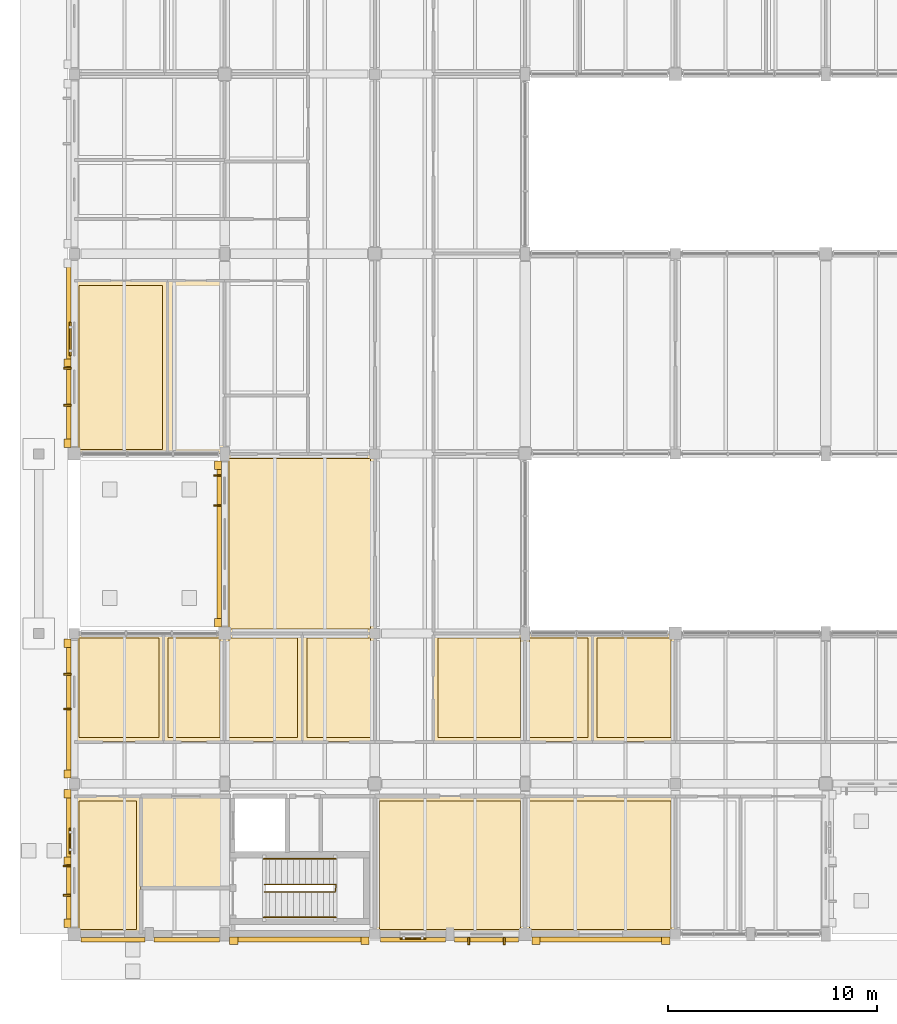
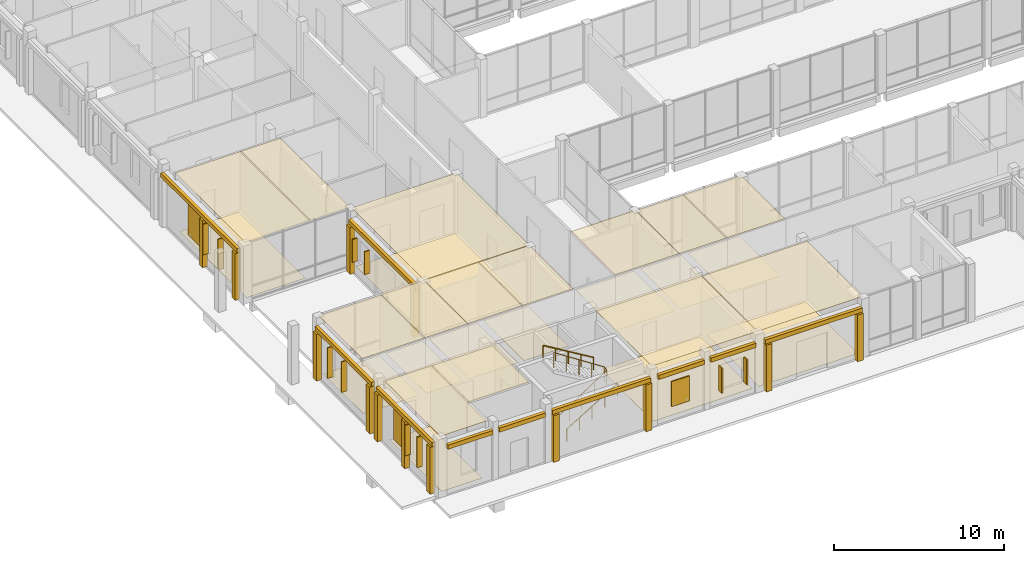
# One storey, part 91 of 104: 49 coverings, 13 shading devices, 3 railings.
"""IFC4 building model written with IfcOpenShell, lengths in metres."""

import ifcopenshell
import ifcopenshell.guid

model = None  # the IFC model being written
_history = None  # IfcOwnerHistory: only IFC2X3 demands one
_inside = {}  # id of a spatial element -> (the spatial element, [elements in it])
_under = {}  # id of a project, library or spatial element -> (it, [spatial elements below it])
_declared = {}  # id of a project -> (the project, [libraries it declares])
_typed = {}  # id of a type object -> (the type object, [elements of that type])
_made_of = {}  # id of a material, layer set ... -> (it, [elements and type objects made of it])


def new_model(schema):
    """Start an empty IFC model of exactly this schema.

    Asked for "IFC4X3", IfcOpenShell would pick the latest addendum, in which some entities
    have other attributes; the version numbers below select the first issue.
    IFC2X3 requires an IfcOwnerHistory on every rooted entity: one is made here for all.
    """
    global model, _history
    if schema == "IFC4X3":
        model = ifcopenshell.file(schema_version=(4, 3, 0, 0))
    else:
        model = ifcopenshell.file(schema=schema)
    _inside.clear()
    _under.clear()
    _declared.clear()
    _typed.clear()
    _made_of.clear()
    _history = None
    if model.schema == "IFC2X3":
        org = make("IfcOrganization", Name="unknown")
        user = make(
            "IfcPersonAndOrganization",
            ThePerson=make("IfcPerson", FamilyName="unknown"),
            TheOrganization=org,
        )
        app = make(
            "IfcApplication",
            ApplicationDeveloper=org,
            Version="unknown",
            ApplicationFullName="unknown",
            ApplicationIdentifier="unknown",
        )
        _history = make(
            "IfcOwnerHistory",
            OwningUser=user,
            OwningApplication=app,
            ChangeAction="ADDED",
            CreationDate=0,
        )
    return model


def make(cls, **values):
    """One entity of the class cls with the attributes given. An attribute that is None is left unset."""
    return model.create_entity(
        cls, **{name: value for name, value in values.items() if value is not None}
    )


def rooted(cls, **values):
    """An entity with a GlobalId (a new one), such as an element, a storey or a relation."""
    return make(cls, GlobalId=ifcopenshell.guid.new(), OwnerHistory=_history, **values)


def si_unit(unit_type, name, prefix=None):
    """IfcSIUnit, for example si_unit("LENGTHUNIT", "METRE", prefix="MILLI")."""
    return make("IfcSIUnit", UnitType=unit_type, Prefix=prefix, Name=name)


def assignment(units):
    """IfcUnitAssignment: the units of a project."""
    return None if units is None else make("IfcUnitAssignment", Units=units)


def point(xyz):
    """IfcCartesianPoint."""
    return None if xyz is None else make("IfcCartesianPoint", Coordinates=xyz)


def direction(xyz):
    """IfcDirection."""
    return None if xyz is None else make("IfcDirection", DirectionRatios=xyz)


def frame(location, z_axis=None, x_axis=None):
    """IfcAxis2Placement3D, a coordinate frame: its origin and axes. An axis left out is left unset."""
    return make(
        "IfcAxis2Placement3D",
        Location=point(location),
        Axis=direction(z_axis),
        RefDirection=direction(x_axis),
    )


def frame_2d(location, x_axis=None):
    """IfcAxis2Placement2D, a coordinate frame in the plane: its origin and x axis."""
    return make(
        "IfcAxis2Placement2D", Location=point(location), RefDirection=direction(x_axis)
    )


def origin():
    """The frame at (0, 0, 0) with its axes left unset."""
    return frame((0.0, 0.0, 0.0))


def origin_2d():
    """The frame at (0, 0) in the plane with its x axis left unset."""
    return frame_2d((0.0, 0.0))


def place(relative_to, where):
    """IfcLocalPlacement: puts the frame where relative to a parent placement (None: the world)."""
    return make(
        "IfcLocalPlacement", PlacementRelTo=relative_to, RelativePlacement=where
    )


def context(
    kind, dimensions, precision=None, world=None, true_north=None, identifier=None
):
    """IfcGeometricRepresentationContext, for example the 3D "Model" context."""
    return make(
        "IfcGeometricRepresentationContext",
        ContextIdentifier=identifier,
        ContextType=kind,
        CoordinateSpaceDimension=dimensions,
        Precision=precision,
        WorldCoordinateSystem=world,
        TrueNorth=true_north,
    )


def subcontext(parent, identifier, kind, view, scale=None):
    """IfcGeometricRepresentationSubContext, for example "Body" below "Model"."""
    return make(
        "IfcGeometricRepresentationSubContext",
        ContextIdentifier=identifier,
        ContextType=kind,
        ParentContext=parent,
        TargetScale=scale,
        TargetView=view,
    )


def project(units=None, contexts=None):
    """IfcProject with its units and contexts."""
    return rooted(
        "IfcProject",
        Name="project",
        RepresentationContexts=contexts,
        UnitsInContext=assignment(units),
    )


def spatial(cls, under=None, at=None, **own):
    """A site, building, storey or space (cls), placed at a placement, below another one or the project."""
    s = rooted(cls, ObjectPlacement=at, **own)
    if under is not None:
        _under.setdefault(under.id(), (under, []))[1].append(s)
    return s


def polyline(points):
    """IfcPolyline through the points."""
    return make("IfcPolyline", Points=[point(p) for p in points])


def profile(cls, at=None, kind="AREA", **sizes):
    """A parametric profile (cls). Its sizes go by their IFC names, for example OverallWidth=200.0."""
    return make(cls, ProfileType=kind, Position=at, **sizes)


def rectangle(**sizes):
    """IfcRectangleProfileDef."""
    return profile("IfcRectangleProfileDef", **sizes)


def circle(**sizes):
    """IfcCircleProfileDef."""
    return profile("IfcCircleProfileDef", **sizes)


def outline(outer, holes=None, kind="AREA"):
    """IfcArbitraryClosedProfileDef: a profile drawn as a closed curve; with holes, ...WithVoids."""
    if holes is None:
        return make("IfcArbitraryClosedProfileDef", ProfileType=kind, OuterCurve=outer)
    return make(
        "IfcArbitraryProfileDefWithVoids",
        ProfileType=kind,
        OuterCurve=outer,
        InnerCurves=holes,
    )


def extrude(swept, where, along, depth):
    """IfcExtrudedAreaSolid: the profile swept, set in the frame where, extruded along a direction by depth."""
    return make(
        "IfcExtrudedAreaSolid",
        SweptArea=swept,
        Position=where,
        ExtrudedDirection=direction(along),
        Depth=depth,
    )


def shape(context_of_items, identifier, shape_type, items):
    """IfcShapeRepresentation: the items that make up one representation, for example the "Body"."""
    return make(
        "IfcShapeRepresentation",
        ContextOfItems=context_of_items,
        RepresentationIdentifier=identifier,
        RepresentationType=shape_type,
        Items=items,
    )


def material(Name=None, Category=None):
    """IfcMaterial."""
    return make("IfcMaterial", Name=Name, Category=Category)


def layer(
    of_material, thickness, ventilated=None, Name=None, Category=None, Priority=None
):
    """IfcMaterialLayer: one layer of a wall or slab, of a material (None: an air gap)."""
    return make(
        "IfcMaterialLayer",
        Material=of_material,
        LayerThickness=thickness,
        IsVentilated=ventilated,
        Name=Name,
        Category=Category,
        Priority=Priority,
    )


def layer_set(layers, Name=None):
    """IfcMaterialLayerSet."""
    return make("IfcMaterialLayerSet", MaterialLayers=layers, LayerSetName=Name)


def made_of(thing, what):
    """Note that an element or type object is made of a material, layer set ...; save() writes the relation."""
    if what is not None:
        _made_of.setdefault(what.id(), (what, []))[1].append(thing)
    return thing


def type_object(cls, material=None, **own):
    """A type object (cls), such as IfcWallType, which elements share."""
    return made_of(rooted(cls, **own), material)


def element(
    cls,
    number,
    at=None,
    inside=None,
    cuts=None,
    type_object=None,
    material=None,
    context=None,
    identifier="Body",
    shape_type=None,
    held_by="IfcProductDefinitionShape",
    body=None,
    shapes=None,
    **own,
):
    """One element of the class cls, such as IfcWall. Its Tag is "e" and its number.

    at: its placement. inside: the storey or other place that contains it. cuts: it is an
    opening in that element (IfcRelVoidsElement). A single representation is given by context,
    identifier, shape_type and body (its items); several are given by shapes. held_by: the class
    of the entity that holds the representations. save() writes the other relations.
    """
    e = rooted(cls, Tag="e%d" % number, ObjectPlacement=at, **own)
    if body is not None:
        shapes = [shape(context, identifier, shape_type, body)]
    if shapes is not None:
        e.Representation = make(held_by, Representations=shapes)
    if inside is not None:
        _inside.setdefault(inside.id(), (inside, []))[1].append(e)
    if cuts is not None:
        rooted(
            "IfcRelVoidsElement", RelatingBuildingElement=cuts, RelatedOpeningElement=e
        )
    if type_object is not None:
        _typed.setdefault(type_object.id(), (type_object, []))[1].append(e)
    return made_of(e, material)


def aggregate(whole, parts):
    """IfcRelAggregates: a whole, such as a stair, and the parts it consists of."""
    return rooted("IfcRelAggregates", RelatingObject=whole, RelatedObjects=parts)


def save(model, path):
    """Write the relations noted so far, then the file.

    IfcRelAggregates (storeys below a building ...), IfcRelContainedInSpatialStructure (elements
    in a storey), IfcRelDefinesByType, IfcRelAssociatesMaterial and IfcRelDeclares: one each for
    every whole, place, type object, material and project.
    """
    for whole, parts in _under.values():
        aggregate(whole, parts)
    for where, things in _inside.values():
        rooted(
            "IfcRelContainedInSpatialStructure",
            RelatedElements=things,
            RelatingStructure=where,
        )
    for kind, things in _typed.values():
        rooted("IfcRelDefinesByType", RelatedObjects=things, RelatingType=kind)
    for what, things in _made_of.values():
        rooted("IfcRelAssociatesMaterial", RelatedObjects=things, RelatingMaterial=what)
    for by, libraries in _declared.values():
        rooted("IfcRelDeclares", RelatingContext=by, RelatedDefinitions=libraries)
    model.write(path)


model = new_model("IFC4")

# Units and contexts
model_context = context("Model", 3, precision=1e-05, world=origin(), true_north=direction((0.0, 1.0)))
body_context = subcontext(model_context, "Body", "Model", "MODEL_VIEW")
ifc_project = project(units=[si_unit("LENGTHUNIT", "METRE"), si_unit("AREAUNIT", "SQUARE_METRE"), si_unit("VOLUMEUNIT", "CUBIC_METRE"), si_unit("PLANEANGLEUNIT", "RADIAN"), si_unit("MASSUNIT", "GRAM", prefix="KILO")], contexts=[model_context])

# Site, building, storey
site_placement = place(None, origin())
site = spatial("IfcSite", under=ifc_project, at=site_placement, CompositionType="ELEMENT")
building_placement = place(site_placement, origin())
building = spatial("IfcBuilding", under=site, at=building_placement, Name="Hawrajan Terrace Health Centre", CompositionType="ELEMENT")
storey_placement = place(building_placement, origin())
storey = spatial("IfcBuildingStorey", under=building, at=storey_placement, Name="L00", CompositionType="ELEMENT", Elevation=0.0)

# Coverings
ifc_material_1 = material(Name="Precast concrete C40/50", Category="concrete")
ifc_layer_1 = layer(ifc_material_1, 0.219970703125)
ifc_layer_set_1 = layer_set([ifc_layer_1], Name="Precast concrete C40/50")
covering_type_1 = type_object("IfcCoveringType", Name="ArtDecoCorniceBand", PredefinedType="CLADDING", material=ifc_layer_set_1)
covering_1_placement = place(storey_placement, frame((6.449951171875, 3.929931640625, 3.3701171875), z_axis=(0.0, 0.0, 1.0), x_axis=(1.0, 0.0, 0.0)))
element("IfcCovering", 1, at=covering_1_placement, inside=storey, type_object=covering_type_1, Name="Art Deco limestone cornice band CRN-L00-0001", PredefinedType="CLADDING", context=body_context, shape_type="SweptSolid", body=[
    extrude(rectangle(XDim=3.06005859375, YDim=0.219970703125, at=origin_2d()), origin(), (0.0, 0.0, 1.0), 0.300048828125),
])
covering_2_placement = place(storey_placement, frame((9.987548828125, 3.929931640625, 3.3701171875), z_axis=(0.0, 0.0, 1.0), x_axis=(1.0, 0.0, 0.0)))
element("IfcCovering", 2, at=covering_2_placement, inside=storey, type_object=covering_type_1, Name="Art Deco limestone cornice band CRN-L00-0002", PredefinedType="CLADDING", context=body_context, shape_type="SweptSolid", body=[
    extrude(rectangle(XDim=3.135009765625, YDim=0.219970703125, at=origin_2d()), origin(), (0.0, 0.0, 1.0), 0.300048828125),
])
covering_3_placement = place(storey_placement, frame((4.330078125, 7.824951171875, 3.3701171875), z_axis=(0.0, 0.0, 1.0), x_axis=(0.0, 1.0, 0.0)))
element("IfcCovering", 3, at=covering_3_placement, inside=storey, type_object=covering_type_1, Name="Art Deco limestone cornice band CRN-L00-0003", PredefinedType="CLADDING", context=body_context, shape_type="SweptSolid", body=[
    extrude(rectangle(XDim=6.610107421875, YDim=0.219970703125, at=origin_2d()), origin(), (0.0, 0.0, 1.0), 0.300048828125),
])
covering_4_placement = place(storey_placement, frame((4.340087890625, 15.0, 3.3701171875), z_axis=(0.0, 0.0, 1.0), x_axis=(0.0, 1.0, 0.0)))
element("IfcCovering", 4, at=covering_4_placement, inside=storey, type_object=covering_type_1, Name="Art Deco limestone cornice band CRN-L00-0004", PredefinedType="CLADDING", context=body_context, shape_type="SweptSolid", body=[
    extrude(rectangle(XDim=6.659912109375, YDim=0.219970703125, at=origin_2d()), origin(), (0.0, 0.0, 1.0), 0.300048828125),
])
covering_5_placement = place(storey_placement, frame((4.340087890625, 32.02490234375, 3.3701171875), z_axis=(0.0, 0.0, 1.0), x_axis=(0.0, 1.0, 0.0)))
element("IfcCovering", 5, at=covering_5_placement, inside=storey, type_object=covering_type_1, Name="Art Deco limestone cornice band CRN-L00-0005", PredefinedType="CLADDING", context=body_context, shape_type="SweptSolid", body=[
    extrude(rectangle(XDim=9.010009765625, YDim=0.219970703125, at=origin_2d()), origin(), (0.0, 0.0, 1.0), 0.300048828125),
])
covering_6_placement = place(storey_placement, frame((15.387451171875, 3.93994140625, 3.3701171875), z_axis=(0.0, 0.0, 1.0), x_axis=(1.0, 0.0, 0.0)))
element("IfcCovering", 6, at=covering_6_placement, inside=storey, type_object=covering_type_1, Name="Art Deco limestone cornice band CRN-L00-0011", PredefinedType="CLADDING", context=body_context, shape_type="SweptSolid", body=[
    extrude(rectangle(XDim=6.68505859375, YDim=0.219970703125, at=origin_2d()), origin(), (0.0, 0.0, 1.0), 0.300048828125),
])
covering_7_placement = place(storey_placement, frame((11.5400390625, 22.887451171875, 3.3701171875), z_axis=(0.0, 0.0, 1.0), x_axis=(0.0, 1.0, 0.0)))
element("IfcCovering", 7, at=covering_7_placement, inside=storey, type_object=covering_type_1, Name="Art Deco limestone cornice band CRN-L00-0012", PredefinedType="CLADDING", context=body_context, shape_type="SweptSolid", body=[
    extrude(rectangle(XDim=7.93505859375, YDim=0.219970703125, at=origin_2d()), origin(), (0.0, 0.0, 1.0), 0.300048828125),
])
covering_8_placement = place(storey_placement, frame((20.824951171875, 3.929931640625, 3.3701171875), z_axis=(0.0, 0.0, 1.0), x_axis=(1.0, 0.0, 0.0)))
element("IfcCovering", 8, at=covering_8_placement, inside=storey, type_object=covering_type_1, Name="Art Deco limestone cornice band CRN-L00-0014", PredefinedType="CLADDING", context=body_context, shape_type="SweptSolid", body=[
    extrude(rectangle(XDim=3.110107421875, YDim=0.219970703125, at=origin_2d()), origin(), (0.0, 0.0, 1.0), 0.300048828125),
])
covering_9_placement = place(storey_placement, frame((24.35009765625, 3.929931640625, 3.3701171875), z_axis=(0.0, 0.0, 1.0), x_axis=(1.0, 0.0, 0.0)))
element("IfcCovering", 9, at=covering_9_placement, inside=storey, type_object=covering_type_1, Name="Art Deco limestone cornice band CRN-L00-0015", PredefinedType="CLADDING", context=body_context, shape_type="SweptSolid", body=[
    extrude(rectangle(XDim=3.06005859375, YDim=0.219970703125, at=origin_2d()), origin(), (0.0, 0.0, 1.0), 0.300048828125),
])
covering_10_placement = place(storey_placement, frame((29.824951171875, 3.93994140625, 3.3701171875), z_axis=(0.0, 0.0, 1.0), x_axis=(1.0, 0.0, 0.0)))
element("IfcCovering", 10, at=covering_10_placement, inside=storey, type_object=covering_type_1, Name="Art Deco limestone cornice band CRN-L00-0018", PredefinedType="CLADDING", context=body_context, shape_type="SweptSolid", body=[
    extrude(rectangle(XDim=6.610107421875, YDim=0.219970703125, at=origin_2d()), origin(), (0.0, 0.0, 1.0), 0.300048828125),
])
ifc_layer_2 = layer(ifc_material_1, 0.340087890625)
ifc_layer_set_2 = layer_set([ifc_layer_2], Name="Precast concrete C40/50")
covering_type_2 = type_object("IfcCoveringType", Name="ArtDecoStonePilaster", PredefinedType="CLADDING", material=ifc_layer_set_2)
for number, where, z_axis, x_axis, name in (
    (11, (4.27001953125, 4.719970703125, 0.0), (0.0, 0.0, 1.0), (0.0, 1.0, 0.0), "Art Deco fluted limestone pilaster FPIL-L00-0001"),
    (12, (4.27001953125, 10.929931640625, 0.0), (0.0, 0.0, 1.0), (0.0, 1.0, 0.0), "Art Deco fluted limestone pilaster FPIL-L00-0002"),
):
    element("IfcCovering", number, at=place(storey_placement, frame(where, z_axis=z_axis, x_axis=x_axis)), inside=storey, type_object=covering_type_2, Name=name, PredefinedType="CLADDING", context=body_context, shape_type="SweptSolid", body=[
        extrude(rectangle(XDim=0.39990234375, YDim=0.340087890625, at=origin_2d()), origin(), (0.0, 0.0, 1.0), 3.360107421875),
    ])
covering_11_placement = place(storey_placement, frame((4.27001953125, 7.7099609375, 0.0), z_axis=(0.0, 0.0, 1.0), x_axis=(0.0, 1.0, 0.0)))
element("IfcCovering", 13, at=covering_11_placement, inside=storey, type_object=covering_type_2, Name="Art Deco mullion pilaster FPIL-L00-0003", PredefinedType="CLADDING", context=body_context, shape_type="SweptSolid", body=[
    extrude(rectangle(XDim=0.360107421875, YDim=0.340087890625, at=origin_2d()), origin(), (0.0, 0.0, 1.0), 3.360107421875),
])
for number, where, z_axis, x_axis, name in (
    (14, (4.280029296875, 11.8701171875, 0.0), (0.0, 0.0, 1.0), (0.0, 1.0, 0.0), "Art Deco fluted limestone pilaster FPIL-L00-0004"),
    (15, (4.280029296875, 18.1298828125, 0.0), (0.0, 0.0, 1.0), (0.0, 1.0, 0.0), "Art Deco fluted limestone pilaster FPIL-L00-0005"),
    (16, (4.280029296875, 27.719970703125, 0.0), (0.0, 0.0, 1.0), (0.0, 1.0, 0.0), "Art Deco fluted limestone pilaster FPIL-L00-0006"),
):
    element("IfcCovering", number, at=place(storey_placement, frame(where, z_axis=z_axis, x_axis=x_axis)), inside=storey, type_object=covering_type_2, Name=name, PredefinedType="CLADDING", context=body_context, shape_type="SweptSolid", body=[
        extrude(rectangle(XDim=0.39990234375, YDim=0.340087890625, at=origin_2d()), origin(), (0.0, 0.0, 1.0), 3.360107421875),
    ])
covering_12_placement = place(storey_placement, frame((4.280029296875, 31.56005859375, 0.0), z_axis=(0.0, 0.0, 1.0), x_axis=(0.0, 1.0, 0.0)))
element("IfcCovering", 17, at=covering_12_placement, inside=storey, type_object=covering_type_2, Name="Art Deco mullion pilaster FPIL-L00-0008", PredefinedType="CLADDING", context=body_context, shape_type="SweptSolid", body=[
    extrude(rectangle(XDim=0.360107421875, YDim=0.340087890625, at=origin_2d()), origin(), (0.0, 0.0, 1.0), 3.360107421875),
])
for number, where, z_axis, x_axis, name in (
    (18, (12.2451171875, 3.8798828125, 0.0), (0.0, 0.0, 1.0), (1.0, 0.0, 0.0), "Art Deco fluted limestone pilaster FPIL-L00-0016"),
    (19, (18.530029296875, 3.8798828125, 0.0), (0.0, 0.0, 1.0), (1.0, 0.0, 0.0), "Art Deco fluted limestone pilaster FPIL-L00-0017"),
    (20, (11.47998046875, 19.1201171875, 0.0), (0.0, 0.0, 1.0), (0.0, 1.0, 0.0), "Art Deco fluted limestone pilaster FPIL-L00-0018"),
    (21, (11.47998046875, 26.655029296875, 0.0), (0.0, 0.0, 1.0), (0.0, 1.0, 0.0), "Art Deco fluted limestone pilaster FPIL-L00-0019"),
    (22, (26.719970703125, 3.8798828125, 0.0), (0.0, 0.0, 1.0), (1.0, 0.0, 0.0), "Art Deco fluted limestone pilaster FPIL-L00-0022"),
    (23, (32.929931640625, 3.8798828125, 0.0), (0.0, 0.0, 1.0), (1.0, 0.0, 0.0), "Art Deco fluted limestone pilaster FPIL-L00-0023"),
):
    element("IfcCovering", number, at=place(storey_placement, frame(where, z_axis=z_axis, x_axis=x_axis)), inside=storey, type_object=covering_type_2, Name=name, PredefinedType="CLADDING", context=body_context, shape_type="SweptSolid", body=[
        extrude(rectangle(XDim=0.39990234375, YDim=0.340087890625, at=origin_2d()), origin(), (0.0, 0.0, 1.0), 3.360107421875),
    ])
ifc_material_2 = material(Name="Acoustic linear cedar-slat suspended ceiling")
ifc_layer_3 = layer(ifc_material_2, 0.034912109375)
ifc_layer_set_3 = layer_set([ifc_layer_3], Name="Acoustic linear cedar-slat suspended ceiling")
covering_type_3 = type_object("IfcCoveringType", Name="CedarSlatHallCeiling_35", PredefinedType="CEILING", material=ifc_layer_set_3)
covering_13_placement = place(storey_placement, frame((0.0, 0.0, 4.14501953125)))
element("IfcCovering", 24, at=covering_13_placement, inside=storey, type_object=covering_type_3, Name="Suspended ceiling L00-048", PredefinedType="CEILING", context=body_context, shape_type="SweptSolid", body=[
    extrude(outline(polyline([(11.820068359375, 27.179931640625), (18.97998046875, 27.179931640625), (18.97998046875, 18.6201171875), (11.820068359375, 18.6201171875), (11.820068359375, 27.179931640625)])), origin(), (0.0, 0.0, 1.0), 0.034912109375),
])
ifc_material_3 = material(Name="Hygienic mineral-fibre acoustic tile ceiling")
ifc_layer_4 = layer(ifc_material_3, 0.02490234375)
ifc_layer_set_4 = layer_set([ifc_layer_4], Name="Hygienic mineral-fibre acoustic tile ceiling")
covering_type_4 = type_object("IfcCoveringType", Name="ClinicalAcousticCeiling_25", PredefinedType="CEILING", material=ifc_layer_set_4)
covering_14_placement = place(storey_placement, frame((0.0, 0.0, 4.155029296875)))
element("IfcCovering", 25, at=covering_14_placement, inside=storey, type_object=covering_type_4, Name="Suspended ceiling L00-022", PredefinedType="CEILING", context=body_context, shape_type="SweptSolid", body=[
    extrude(outline(polyline([(7.820068359375, 6.419921875), (7.820068359375, 10.780029296875), (11.929931640625, 10.780029296875), (11.929931640625, 6.419921875), (7.820068359375, 6.419921875)])), origin(), (0.0, 0.0, 1.0), 0.02490234375),
])
covering_15_placement = place(storey_placement, frame((0.0, 0.0, 4.155029296875)))
element("IfcCovering", 26, at=covering_15_placement, inside=storey, type_object=covering_type_4, Name="Suspended ceiling L00-047", PredefinedType="CEILING", context=body_context, shape_type="SweptSolid", body=[
    extrude(outline(polyline([(19.02001953125, 10.780029296875), (26.179931640625, 10.780029296875), (26.179931640625, 4.219970703125), (19.02001953125, 4.219970703125), (19.02001953125, 10.780029296875)])), origin(), (0.0, 0.0, 1.0), 0.02490234375),
])
covering_16_placement = place(storey_placement, frame((0.0, 0.0, 4.155029296875)))
element("IfcCovering", 27, at=covering_16_placement, inside=storey, type_object=covering_type_4, Name="Suspended ceiling L00-061", PredefinedType="CEILING", context=body_context, shape_type="SweptSolid", body=[
    extrude(outline(polyline([(4.6201171875, 35.47998046875), (9.036865234375, 35.47998046875), (9.036865234375, 27.219970703125), (4.6201171875, 27.219970703125), (4.6201171875, 35.47998046875)])), origin(), (0.0, 0.0, 1.0), 0.02490234375),
])
covering_17_placement = place(storey_placement, frame((0.0, 0.0, 4.155029296875)))
element("IfcCovering", 28, at=covering_17_placement, inside=storey, type_object=covering_type_4, Name="Suspended ceiling L00-062", PredefinedType="CEILING", context=body_context, shape_type="SweptSolid", body=[
    extrude(outline(polyline([(9.076904296875, 35.47998046875), (11.780029296875, 35.47998046875), (11.780029296875, 27.219970703125), (9.076904296875, 27.219970703125), (9.076904296875, 35.47998046875)])), origin(), (0.0, 0.0, 1.0), 0.02490234375),
])
covering_18_placement = place(storey_placement, frame((0.0, 0.0, 4.155029296875)))
element("IfcCovering", 29, at=covering_18_placement, inside=storey, type_object=covering_type_4, Name="Suspended ceiling L00-113", PredefinedType="CEILING", context=body_context, shape_type="SweptSolid", body=[
    extrude(outline(polyline([(4.6201171875, 10.780029296875), (7.780029296875, 10.780029296875), (7.780029296875, 4.219970703125), (4.6201171875, 4.219970703125), (4.6201171875, 10.780029296875)])), origin(), (0.0, 0.0, 1.0), 0.02490234375),
])
covering_19_placement = place(storey_placement, frame((0.0, 0.0, 4.155029296875)))
element("IfcCovering", 30, at=covering_19_placement, inside=storey, type_object=covering_type_4, Name="Suspended ceiling L00-114", PredefinedType="CEILING", context=body_context, shape_type="SweptSolid", body=[
    extrude(outline(polyline([(4.6201171875, 18.580078125), (8.849609375, 18.580078125), (8.849609375, 13.419921875), (4.6201171875, 13.419921875), (4.6201171875, 18.580078125)])), origin(), (0.0, 0.0, 1.0), 0.02490234375),
])
covering_20_placement = place(storey_placement, frame((0.0, 0.0, 4.155029296875)))
element("IfcCovering", 31, at=covering_20_placement, inside=storey, type_object=covering_type_4, Name="Suspended ceiling L00-115", PredefinedType="CEILING", context=body_context, shape_type="SweptSolid", body=[
    extrude(outline(polyline([(8.8896484375, 18.580078125), (11.780029296875, 18.580078125), (11.780029296875, 13.419921875), (8.8896484375, 13.419921875), (8.8896484375, 18.580078125)])), origin(), (0.0, 0.0, 1.0), 0.02490234375),
])
covering_21_placement = place(storey_placement, frame((0.0, 0.0, 4.155029296875)))
element("IfcCovering", 32, at=covering_21_placement, inside=storey, type_object=covering_type_4, Name="Suspended ceiling L00-116", PredefinedType="CEILING", context=body_context, shape_type="SweptSolid", body=[
    extrude(outline(polyline([(11.820068359375, 18.580078125), (15.50244140625, 18.580078125), (15.50244140625, 13.419921875), (11.820068359375, 13.419921875), (11.820068359375, 18.580078125)])), origin(), (0.0, 0.0, 1.0), 0.02490234375),
])
covering_22_placement = place(storey_placement, frame((0.0, 0.0, 4.155029296875)))
element("IfcCovering", 33, at=covering_22_placement, inside=storey, type_object=covering_type_4, Name="Suspended ceiling L00-117", PredefinedType="CEILING", context=body_context, shape_type="SweptSolid", body=[
    extrude(outline(polyline([(15.54248046875, 18.580078125), (18.97998046875, 18.580078125), (18.97998046875, 13.419921875), (15.54248046875, 13.419921875), (15.54248046875, 18.580078125)])), origin(), (0.0, 0.0, 1.0), 0.02490234375),
])
covering_23_placement = place(storey_placement, frame((0.0, 0.0, 4.155029296875)))
element("IfcCovering", 34, at=covering_23_placement, inside=storey, type_object=covering_type_4, Name="Suspended ceiling L00-118", PredefinedType="CEILING", context=body_context, shape_type="SweptSolid", body=[
    extrude(outline(polyline([(21.820068359375, 18.580078125), (26.179931640625, 18.580078125), (26.179931640625, 13.419921875), (21.820068359375, 13.419921875), (21.820068359375, 18.580078125)])), origin(), (0.0, 0.0, 1.0), 0.02490234375),
])
covering_24_placement = place(storey_placement, frame((0.0, 0.0, 4.155029296875)))
element("IfcCovering", 35, at=covering_24_placement, inside=storey, type_object=covering_type_4, Name="Suspended ceiling L00-119", PredefinedType="CEILING", context=body_context, shape_type="SweptSolid", body=[
    extrude(outline(polyline([(26.219970703125, 10.780029296875), (33.3798828125, 10.780029296875), (33.3798828125, 4.219970703125), (26.219970703125, 4.219970703125), (26.219970703125, 10.780029296875)])), origin(), (0.0, 0.0, 1.0), 0.02490234375),
])
covering_25_placement = place(storey_placement, frame((0.0, 0.0, 4.155029296875)))
element("IfcCovering", 36, at=covering_25_placement, inside=storey, type_object=covering_type_4, Name="Suspended ceiling L00-120", PredefinedType="CEILING", context=body_context, shape_type="SweptSolid", body=[
    extrude(outline(polyline([(26.219970703125, 18.580078125), (29.412841796875, 18.580078125), (29.412841796875, 13.419921875), (26.219970703125, 13.419921875), (26.219970703125, 18.580078125)])), origin(), (0.0, 0.0, 1.0), 0.02490234375),
])
covering_26_placement = place(storey_placement, frame((0.0, 0.0, 4.155029296875)))
element("IfcCovering", 37, at=covering_26_placement, inside=storey, type_object=covering_type_4, Name="Suspended ceiling L00-121", PredefinedType="CEILING", context=body_context, shape_type="SweptSolid", body=[
    extrude(outline(polyline([(29.452880859375, 18.580078125), (33.3798828125, 18.580078125), (33.3798828125, 13.419921875), (29.452880859375, 13.419921875), (29.452880859375, 18.580078125)])), origin(), (0.0, 0.0, 1.0), 0.02490234375),
])
ifc_material_4 = material(Name="Seamless medical-grade cushioned vinyl flooring")
ifc_layer_5 = layer(ifc_material_4, 0.011962890625)
ifc_layer_set_5 = layer_set([ifc_layer_5], Name="Seamless medical-grade cushioned vinyl flooring")
covering_type_5 = type_object("IfcCoveringType", Name="ClinicalVinylFlooring_12", PredefinedType="FLOORING", material=ifc_layer_set_5)
covering_27_placement = place(storey_placement, origin())
element("IfcCovering", 38, at=covering_27_placement, inside=storey, type_object=covering_type_5, Name="Floor finish L00-047", PredefinedType="FLOORING", context=body_context, shape_type="SweptSolid", body=[
    extrude(outline(polyline([(19.219970703125, 10.580078125), (25.97998046875, 10.580078125), (25.97998046875, 4.419921875), (19.219970703125, 4.419921875), (19.219970703125, 10.580078125)])), origin(), (0.0, 0.0, 1.0), 0.011962890625),
])
covering_28_placement = place(storey_placement, origin())
element("IfcCovering", 39, at=covering_28_placement, inside=storey, type_object=covering_type_5, Name="Floor finish L00-061", PredefinedType="FLOORING", context=body_context, shape_type="SweptSolid", body=[
    extrude(outline(polyline([(4.820068359375, 35.280029296875), (8.8369140625, 35.280029296875), (8.8369140625, 27.419921875), (4.820068359375, 27.419921875), (4.820068359375, 35.280029296875)])), origin(), (0.0, 0.0, 1.0), 0.011962890625),
])
covering_29_placement = place(storey_placement, origin())
element("IfcCovering", 40, at=covering_29_placement, inside=storey, type_object=covering_type_5, Name="Floor finish L00-113", PredefinedType="FLOORING", context=body_context, shape_type="SweptSolid", body=[
    extrude(outline(polyline([(4.820068359375, 10.580078125), (7.580078125, 10.580078125), (7.580078125, 4.419921875), (4.820068359375, 4.419921875), (4.820068359375, 10.580078125)])), origin(), (0.0, 0.0, 1.0), 0.011962890625),
])
covering_30_placement = place(storey_placement, origin())
element("IfcCovering", 41, at=covering_30_placement, inside=storey, type_object=covering_type_5, Name="Floor finish L00-114", PredefinedType="FLOORING", context=body_context, shape_type="SweptSolid", body=[
    extrude(outline(polyline([(4.820068359375, 18.3798828125), (8.649658203125, 18.3798828125), (8.649658203125, 13.6201171875), (4.820068359375, 13.6201171875), (4.820068359375, 18.3798828125)])), origin(), (0.0, 0.0, 1.0), 0.011962890625),
])
covering_31_placement = place(storey_placement, origin())
element("IfcCovering", 42, at=covering_31_placement, inside=storey, type_object=covering_type_5, Name="Floor finish L00-115", PredefinedType="FLOORING", context=body_context, shape_type="SweptSolid", body=[
    extrude(outline(polyline([(9.089599609375, 18.3798828125), (11.580078125, 18.3798828125), (11.580078125, 13.6201171875), (9.089599609375, 13.6201171875), (9.089599609375, 18.3798828125)])), origin(), (0.0, 0.0, 1.0), 0.011962890625),
])
covering_32_placement = place(storey_placement, origin())
element("IfcCovering", 43, at=covering_32_placement, inside=storey, type_object=covering_type_5, Name="Floor finish L00-116", PredefinedType="FLOORING", context=body_context, shape_type="SweptSolid", body=[
    extrude(outline(polyline([(12.02001953125, 18.3798828125), (15.302490234375, 18.3798828125), (15.302490234375, 13.6201171875), (12.02001953125, 13.6201171875), (12.02001953125, 18.3798828125)])), origin(), (0.0, 0.0, 1.0), 0.011962890625),
])
covering_33_placement = place(storey_placement, origin())
element("IfcCovering", 44, at=covering_33_placement, inside=storey, type_object=covering_type_5, Name="Floor finish L00-117", PredefinedType="FLOORING", context=body_context, shape_type="SweptSolid", body=[
    extrude(outline(polyline([(15.742431640625, 18.3798828125), (18.780029296875, 18.3798828125), (18.780029296875, 13.6201171875), (15.742431640625, 13.6201171875), (15.742431640625, 18.3798828125)])), origin(), (0.0, 0.0, 1.0), 0.011962890625),
])
covering_34_placement = place(storey_placement, origin())
element("IfcCovering", 45, at=covering_34_placement, inside=storey, type_object=covering_type_5, Name="Floor finish L00-118", PredefinedType="FLOORING", context=body_context, shape_type="SweptSolid", body=[
    extrude(outline(polyline([(22.02001953125, 18.3798828125), (25.97998046875, 18.3798828125), (25.97998046875, 13.6201171875), (22.02001953125, 13.6201171875), (22.02001953125, 18.3798828125)])), origin(), (0.0, 0.0, 1.0), 0.011962890625),
])
covering_35_placement = place(storey_placement, origin())
element("IfcCovering", 46, at=covering_35_placement, inside=storey, type_object=covering_type_5, Name="Floor finish L00-119", PredefinedType="FLOORING", context=body_context, shape_type="SweptSolid", body=[
    extrude(outline(polyline([(26.419921875, 10.580078125), (33.179931640625, 10.580078125), (33.179931640625, 4.419921875), (26.419921875, 4.419921875), (26.419921875, 10.580078125)])), origin(), (0.0, 0.0, 1.0), 0.011962890625),
])
covering_36_placement = place(storey_placement, origin())
element("IfcCovering", 47, at=covering_36_placement, inside=storey, type_object=covering_type_5, Name="Floor finish L00-120", PredefinedType="FLOORING", context=body_context, shape_type="SweptSolid", body=[
    extrude(outline(polyline([(26.419921875, 18.3798828125), (29.212890625, 18.3798828125), (29.212890625, 13.6201171875), (26.419921875, 13.6201171875), (26.419921875, 18.3798828125)])), origin(), (0.0, 0.0, 1.0), 0.011962890625),
])
covering_37_placement = place(storey_placement, origin())
element("IfcCovering", 48, at=covering_37_placement, inside=storey, type_object=covering_type_5, Name="Floor finish L00-121", PredefinedType="FLOORING", context=body_context, shape_type="SweptSolid", body=[
    extrude(outline(polyline([(29.65283203125, 18.3798828125), (33.179931640625, 18.3798828125), (33.179931640625, 13.6201171875), (29.65283203125, 13.6201171875), (29.65283203125, 18.3798828125)])), origin(), (0.0, 0.0, 1.0), 0.011962890625),
])

# Shading devices
ifc_material_5 = material(Name="Anodized bronze mashrabiya vertical solar fin")
ifc_layer_6 = layer(ifc_material_5, 0.080078125)
ifc_layer_set_6 = layer_set([ifc_layer_6], Name="Anodized bronze mashrabiya vertical solar fin")
shading_device_type_1 = type_object("IfcShadingDeviceType", Name="MashrabiyaVerticalFin", PredefinedType="USERDEFINED", material=ifc_layer_set_6)
for number, where, z_axis, x_axis, name in (
    (49, (4.260009765625, 6.06005859375, 1.0), (0.0, 0.0, 1.0), (0.0, 1.0, 0.0), "Bronze mashrabiya solar fin FIN-L00-0001"),
    (50, (4.260009765625, 7.4599609375, 1.0), (0.0, 0.0, 1.0), (0.0, 1.0, 0.0), "Bronze mashrabiya solar fin FIN-L00-0002"),
    (51, (4.27001953125, 14.985107421875, 1.0), (0.0, 0.0, 1.0), (0.0, 1.0, 0.0), "Bronze mashrabiya solar fin FIN-L00-0004"),
    (52, (4.27001953125, 16.64501953125, 1.0), (0.0, 0.0, 1.0), (0.0, 1.0, 0.0), "Bronze mashrabiya solar fin FIN-L00-0005"),
    (53, (4.27001953125, 29.530029296875, 1.0), (0.0, 0.0, 1.0), (0.0, 1.0, 0.0), "Bronze mashrabiya solar fin FIN-L00-0006"),
    (54, (4.27001953125, 31.31005859375, 1.0), (0.0, 0.0, 1.0), (0.0, 1.0, 0.0), "Bronze mashrabiya solar fin FIN-L00-0007"),
):
    element("IfcShadingDevice", number, at=place(storey_placement, frame(where, z_axis=z_axis, x_axis=x_axis)), inside=storey, type_object=shading_device_type_1, Name=name, ObjectType="SOLAR_FIN", PredefinedType="USERDEFINED", context=body_context, shape_type="SweptSolid", body=[
        extrude(rectangle(XDim=0.080078125, YDim=0.360107421875, at=origin_2d()), origin(), (0.0, 0.0, 1.0), 2.199951171875),
    ])
for number, where, z_axis, x_axis, name in (
    (55, (11.469970703125, 24.731201171875, 1.050048828125), (0.0, 0.0, 1.0), (0.0, 1.0, 0.0), "Bronze mashrabiya solar fin FIN-L00-0014"),
    (56, (11.469970703125, 26.171142578125, 1.050048828125), (0.0, 0.0, 1.0), (0.0, 1.0, 0.0), "Bronze mashrabiya solar fin FIN-L00-0015"),
):
    element("IfcShadingDevice", number, at=place(storey_placement, frame(where, z_axis=z_axis, x_axis=x_axis)), inside=storey, type_object=shading_device_type_1, Name=name, ObjectType="SOLAR_FIN", PredefinedType="USERDEFINED", context=body_context, shape_type="SweptSolid", body=[
        extrude(rectangle(XDim=0.080078125, YDim=0.360107421875, at=origin_2d()), origin(), (0.0, 0.0, 1.0), 1.64990234375),
    ])
for number, where, z_axis, x_axis, name in (
    (57, (23.5, 3.860107421875, 1.0), (0.0, 0.0, 1.0), (1.0, 0.0, 0.0), "Bronze mashrabiya solar fin FIN-L00-0017"),
    (58, (25.199951171875, 3.860107421875, 1.0), (0.0, 0.0, 1.0), (1.0, 0.0, 0.0), "Bronze mashrabiya solar fin FIN-L00-0018"),
):
    element("IfcShadingDevice", number, at=place(storey_placement, frame(where, z_axis=z_axis, x_axis=x_axis)), inside=storey, type_object=shading_device_type_1, Name=name, ObjectType="SOLAR_FIN", PredefinedType="USERDEFINED", context=body_context, shape_type="SweptSolid", body=[
        extrude(rectangle(XDim=0.080078125, YDim=0.360107421875, at=origin_2d()), origin(), (0.0, 0.0, 1.0), 1.800048828125),
    ])
ifc_material_6 = material(Name="Anodized bronze and cedar roshan lattice")
ifc_layer_7 = layer(ifc_material_6, 0.080078125)
ifc_layer_set_7 = layer_set([ifc_layer_7], Name="Anodized bronze and cedar roshan lattice")
shading_device_type_2 = type_object("IfcShadingDeviceType", Name="RoshanScreen_BronzeCedar", PredefinedType="JALOUSIE", material=ifc_layer_set_7)
shading_device_1_placement = place(storey_placement, frame((4.39501953125, 8.659912109375, 1.0), z_axis=(0.0, 0.0, 1.0), x_axis=(0.0, 1.0, 0.0)))
element("IfcShadingDevice", 59, at=shading_device_1_placement, inside=storey, type_object=shading_device_type_2, Name="Hijazi roshan solar screen RSH-L00-003", PredefinedType="JALOUSIE", context=body_context, shape_type="SweptSolid", body=[
    extrude(rectangle(XDim=1.219970703125, YDim=0.080078125, at=origin_2d()), origin(), (0.0, 0.0, 1.0), 2.199951171875),
])
shading_device_2_placement = place(storey_placement, frame((4.405029296875, 32.699951171875, 1.0), z_axis=(0.0, 0.0, 1.0), x_axis=(0.0, 1.0, 0.0)))
element("IfcShadingDevice", 60, at=shading_device_2_placement, inside=storey, type_object=shading_device_type_2, Name="Hijazi roshan solar screen RSH-L00-008", PredefinedType="JALOUSIE", context=body_context, shape_type="SweptSolid", body=[
    extrude(rectangle(XDim=1.60009765625, YDim=0.080078125, at=origin_2d()), origin(), (0.0, 0.0, 1.0), 2.199951171875),
])
shading_device_3_placement = place(storey_placement, frame((20.824951171875, 3.9951171875, 1.0), z_axis=(0.0, 0.0, 1.0), x_axis=(1.0, 0.0, 0.0)))
element("IfcShadingDevice", 61, at=shading_device_3_placement, inside=storey, type_object=shading_device_type_2, Name="Hijazi roshan solar screen RSH-L00-016", PredefinedType="JALOUSIE", context=body_context, shape_type="SweptSolid", body=[
    extrude(rectangle(XDim=1.239990234375, YDim=0.080078125, at=origin_2d()), origin(), (0.0, 0.0, 1.0), 1.800048828125),
])

# Railings
ifc_material_7 = material(Name="Brushed stainless steel tubular handrail", Category="steel")
railing_type_1 = type_object("IfcRailingType", Name="StairHandrail_900", PredefinedType="HANDRAIL", material=ifc_material_7)
railing_1_placement = place(storey_placement, frame((13.675048828125, 5.0, 0.173095703125)))
element("IfcRailing", 62, at=railing_1_placement, inside=storey, type_object=railing_type_1, Name="Stair handrail ST-3-L00-H1", PredefinedType="HANDRAIL", context=body_context, shape_type="SweptSolid", body=[
    extrude(circle(Radius=0.02392578125, at=origin_2d()), frame((0.024658203125, 0.0, 0.890625), z_axis=(0.856732359591, 0.0, 0.515761247119), x_axis=(0.0, 1.0, 0.0)), (0.0, 0.0, 1.0), 3.96923828125),
    extrude(circle(Radius=0.02099609375, at=origin_2d()), origin(), (0.0, 0.0, 1.0), 0.846923828125),
    extrude(circle(Radius=0.02099609375, at=origin_2d()), frame((0.862548828125, 0.0, 0.519287109375)), (0.0, 0.0, 1.0), 0.846923828125),
    extrude(circle(Radius=0.02099609375, at=origin_2d()), frame((1.72509765625, 0.0, 1.03857421875)), (0.0, 0.0, 1.0), 0.846923828125),
    extrude(circle(Radius=0.02099609375, at=origin_2d()), frame((2.58740234375, 0.0, 1.5576171875)), (0.0, 0.0, 1.0), 0.846923828125),
    extrude(circle(Radius=0.02099609375, at=origin_2d()), frame((3.449951171875, 0.0, 2.076904296875)), (0.0, 0.0, 1.0), 0.846923828125),
])
railing_2_placement = place(storey_placement, frame((17.125, 7.800048828125, 2.423095703125)))
element("IfcRailing", 63, at=railing_2_placement, inside=storey, type_object=railing_type_1, Name="Stair handrail ST-3-L00-H2", PredefinedType="HANDRAIL", context=body_context, shape_type="SweptSolid", body=[
    extrude(circle(Radius=0.02392578125, at=origin_2d()), frame((-0.024658203125, 0.0, 0.890625), z_axis=(-0.856732359591, 0.0, 0.515761247119), x_axis=(0.0, -1.0, 0.0)), (0.0, 0.0, 1.0), 3.96923828125),
    extrude(circle(Radius=0.02099609375, at=origin_2d()), origin(), (0.0, 0.0, 1.0), 0.846923828125),
    extrude(circle(Radius=0.02099609375, at=origin_2d()), frame((-0.862548828125, 0.0, 0.519287109375)), (0.0, 0.0, 1.0), 0.846923828125),
    extrude(circle(Radius=0.02099609375, at=origin_2d()), frame((-1.72509765625, 0.0, 1.03857421875)), (0.0, 0.0, 1.0), 0.846923828125),
    extrude(circle(Radius=0.02099609375, at=origin_2d()), frame((-2.58740234375, 0.0, 1.5576171875)), (0.0, 0.0, 1.0), 0.846923828125),
    extrude(circle(Radius=0.02099609375, at=origin_2d()), frame((-3.449951171875, 0.0, 2.076904296875)), (0.0, 0.0, 1.0), 0.846923828125),
])
ifc_material_8 = material(Name="Painted steel stair well guard", Category="steel")
railing_type_2 = type_object("IfcRailingType", Name="StairWellGuard_1120", PredefinedType="GUARDRAIL", material=ifc_material_8)
railing_3_placement = place(storey_placement, frame((13.699951171875, 6.219970703125, 0.0)))
element("IfcRailing", 64, at=railing_3_placement, inside=storey, type_object=railing_type_2, Name="Stair well guard ST-3-L00-G1", PredefinedType="GUARDRAIL", context=body_context, shape_type="SweptSolid", body=[
    extrude(circle(Radius=0.02392578125, at=origin_2d()), frame((0.024169921875, 0.0, 1.112060546875), z_axis=(0.833943147616, 0.0, 0.551850366082), x_axis=(0.0, 1.0, 0.0)), (0.0, 0.0, 1.0), 4.01953125),
    extrude(circle(Radius=0.02392578125, at=origin_2d()), frame((3.404052734375, 0.028564453125, 3.34619140625), z_axis=(0.137000993654, 0.99057091, 0.0), x_axis=(-0.99057091, 0.137000993654, 0.0)), (0.0, 0.0, 1.0), 0.305908203125),
    extrude(circle(Radius=0.02392578125, at=origin_2d()), frame((3.42578125, 0.360107421875, 3.36181640625), z_axis=(-0.837607059222, 0.0, 0.546273204854), x_axis=(0.0, -1.0, 0.0)), (0.0, 0.0, 1.0), 4.06103515625),
    extrude(circle(Radius=0.02099609375, at=origin_2d()), origin(), (0.0, 0.0, 1.0), 1.067138671875),
    extrude(circle(Radius=0.02099609375, at=origin_2d()), frame((0.85009765625, 0.0, 0.5625)), (0.0, 0.0, 1.0), 1.067138671875),
    extrude(circle(Radius=0.02099609375, at=origin_2d()), frame((1.7001953125, 0.0, 1.125)), (0.0, 0.0, 1.0), 1.067138671875),
    extrude(circle(Radius=0.02099609375, at=origin_2d()), frame((2.550048828125, 0.0, 1.6875)), (0.0, 0.0, 1.0), 1.067138671875),
    extrude(circle(Radius=0.02099609375, at=origin_2d()), frame((3.400146484375, 0.0, 2.25)), (0.0, 0.0, 1.0), 1.067138671875),
    extrude(circle(Radius=0.02099609375, at=origin_2d()), frame((3.449951171875, 0.360107421875, 2.25)), (0.0, 0.0, 1.0), 1.067138671875),
    extrude(circle(Radius=0.02099609375, at=origin_2d()), frame((2.58740234375, 0.360107421875, 2.8125)), (0.0, 0.0, 1.0), 1.067138671875),
    extrude(circle(Radius=0.02099609375, at=origin_2d()), frame((1.72509765625, 0.360107421875, 3.375)), (0.0, 0.0, 1.0), 1.067138671875),
    extrude(circle(Radius=0.02099609375, at=origin_2d()), frame((0.862548828125, 0.360107421875, 3.9375)), (0.0, 0.0, 1.0), 1.067138671875),
    extrude(circle(Radius=0.02099609375, at=origin_2d()), frame((0.0, 0.360107421875, 4.5)), (0.0, 0.0, 1.0), 1.067138671875),
])

# Covering
ifc_material_9 = material(Name="Polished coral-aggregate terrazzo flooring")
ifc_layer_8 = layer(ifc_material_9, 0.02001953125)
ifc_layer_set_8 = layer_set([ifc_layer_8], Name="Polished coral-aggregate terrazzo flooring")
covering_type_6 = type_object("IfcCoveringType", Name="TerrazzoHallFlooring_20", PredefinedType="FLOORING", material=ifc_layer_set_8)
covering_38_placement = place(storey_placement, origin())
element("IfcCovering", 65, at=covering_38_placement, inside=storey, type_object=covering_type_6, Name="Floor finish L00-048", PredefinedType="FLOORING", context=body_context, shape_type="SweptSolid", body=[
    extrude(outline(polyline([(12.02001953125, 26.97998046875), (18.780029296875, 26.97998046875), (18.780029296875, 18.820068359375), (12.02001953125, 18.820068359375), (12.02001953125, 26.97998046875)])), origin(), (0.0, 0.0, 1.0), 0.02001953125),
])

save(model, "model.ifc")
